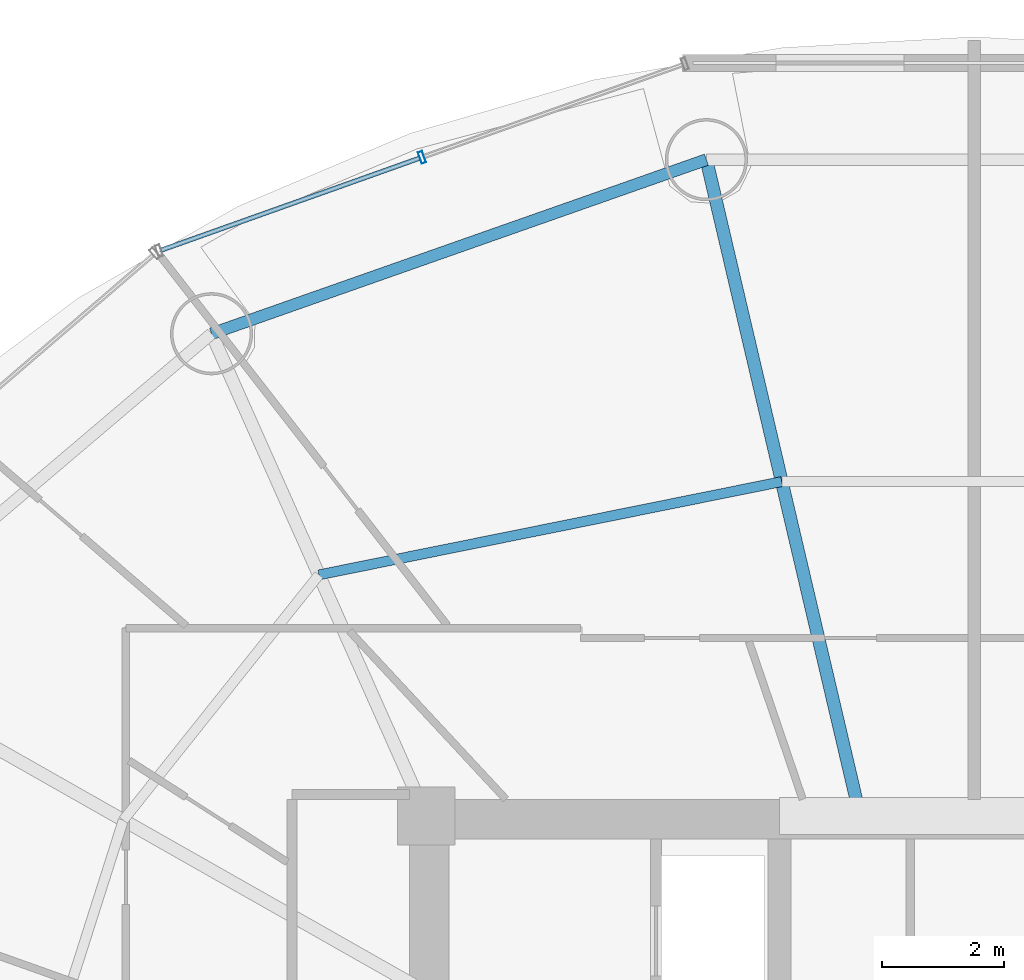
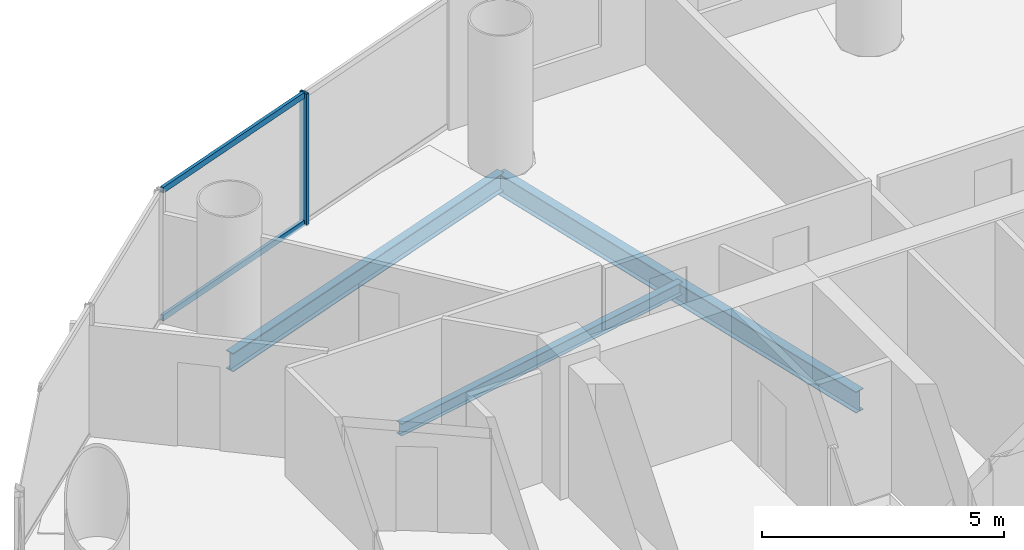
# One storey, part 15 of 27: 3 beams, 3 members, 1 element without a shape of its own.
"""IFC4 building model written with IfcOpenShell, lengths in metres."""

from ifc_helpers import new_model, si_unit, direction, frame, origin, origin_2d, place, context, subcontext, project, spatial, hollow_rectangle, i_section, extrude, source, transform, mapped, material, material_profile, profile_set, type_object, element, aggregate, save


model = new_model("IFC4")

# Units and contexts
model_context = context("Model", 3, precision=1e-05, world=origin(), true_north=direction((-0.2419218956, 0.970295726276)))
body_context = subcontext(model_context, "Body", "Model", "MODEL_VIEW")
ifc_project = project(units=[si_unit("LENGTHUNIT", "METRE"), si_unit("AREAUNIT", "SQUARE_METRE"), si_unit("VOLUMEUNIT", "CUBIC_METRE"), si_unit("PLANEANGLEUNIT", "RADIAN"), si_unit("MASSUNIT", "GRAM", prefix="KILO")], contexts=[model_context])

# Site, building, storey
site_placement = place(None, origin())
site = spatial("IfcSite", under=ifc_project, at=site_placement, CompositionType="ELEMENT")
building_placement = place(site_placement, origin())
building = spatial("IfcBuilding", under=site, at=building_placement, Name="Cobrevalo Terracotta Tower", CompositionType="ELEMENT")
storey_placement = place(building_placement, frame((0.0, 0.0, 146.199951171875)))
storey = spatial("IfcBuildingStorey", under=building, at=storey_placement, Name="L38", CompositionType="ELEMENT", Elevation=146.199951171875)

# Beams
ifc_material_1 = material(Name="Steel S355", Category="steel")
ifc_material_profile_1 = material_profile(ifc_material_1, i_section(OverallWidth=0.2109375, OverallDepth=0.5390625, WebThickness=0.01171875, FlangeThickness=0.018798828125, at=origin_2d()), Name="W 530x109")
ifc_profile_set_1 = profile_set([ifc_material_profile_1], Name="Steel S355")
beam_type_1 = type_object("IfcBeamType", Name="Structural Beam W 530x109 (Steel S355)", PredefinedType="BEAM", material=ifc_profile_set_1)
beam_1_placement = place(storey_placement, frame((33.600830078125, 45.58203125, -0.53955078125), z_axis=(0.228040864186, -0.973651562039, 0.0), x_axis=(0.973651562039, 0.228040864186, 0.0)))
element("IfcBeam", 1, at=beam_1_placement, inside=storey, type_object=beam_type_1, Name="L38 radial floor girder 05", PredefinedType="BEAM", context=body_context, shape_type="SweptSolid", body=[
    extrude(i_section(OverallWidth=0.2109375, OverallDepth=0.5390625, WebThickness=0.01171875, FlangeThickness=0.018798828125, at=origin_2d()), origin(), (0.0, 0.0, 1.0), 10.86328125),
])
ifc_material_profile_2 = material_profile(ifc_material_1, i_section(OverallWidth=0.1650390625, OverallDepth=0.31005859375, WebThickness=0.005859375, FlangeThickness=0.009765625, at=origin_2d()), Name="W 310x38.7")
ifc_profile_set_2 = profile_set([ifc_material_profile_2], Name="Steel S355")
beam_type_2 = type_object("IfcBeamType", Name="Structural Joist W 310x38.7 (Steel S355)", PredefinedType="JOIST", material=ifc_profile_set_2)
beam_2_placement = place(storey_placement, frame((34.83935546875, 40.29345703125, -0.425048828125), z_axis=(-0.980293928329, -0.197544461026, 0.0), x_axis=(0.197544461026, -0.980293928329, 0.0)))
element("IfcBeam", 2, at=beam_2_placement, inside=storey, type_object=beam_type_2, Name="L38 circumferential secondary floor joist 05", PredefinedType="JOIST", context=body_context, shape_type="SweptSolid", body=[
    extrude(i_section(OverallWidth=0.1650390625, OverallDepth=0.31005859375, WebThickness=0.005859375, FlangeThickness=0.009765625, at=origin_2d()), origin(), (0.0, 0.0, 1.0), 7.75634765625),
])
ifc_material_profile_3 = material_profile(ifc_material_1, i_section(OverallWidth=0.194091796875, OverallDepth=0.468994140625, WebThickness=0.011474609375, FlangeThickness=0.0205078125, at=origin_2d()), Name="W 460x106")
ifc_profile_set_3 = profile_set([ifc_material_profile_3], Name="Steel S355")
beam_type_3 = type_object("IfcBeamType", Name="Structural Spandrel W 460x106 (Steel S355)", PredefinedType="SPANDREL", material=ifc_profile_set_3)
beam_3_placement = place(storey_placement, frame((33.600830078125, 45.58203125, -0.50439453125), z_axis=(-0.943341298492, -0.331824041565, 0.0), x_axis=(0.331824041565, -0.943341298492, 0.0)))
element("IfcBeam", 3, at=beam_3_placement, inside=storey, type_object=beam_type_3, Name="L38 perimeter ring spandrel 05", PredefinedType="SPANDREL", context=body_context, shape_type="SweptSolid", body=[
    extrude(i_section(OverallWidth=0.194091796875, OverallDepth=0.468994140625, WebThickness=0.011474609375, FlangeThickness=0.0205078125, at=origin_2d()), origin(), (0.0, 0.0, 1.0), 8.6171875),
])

# Curtain wall, members
ifc_material_2 = material(Name="Anodized aluminium", Category="aluminium")
curtain_wall_type = type_object("IfcCurtainWallType", Name="Mid-tower high-wind unitised curtain wall CW-U2", PredefinedType="NOTDEFINED", material=ifc_material_2)
curtain_wall_placement = place(storey_placement, origin())
curtain_wall = element("IfcCurtainWall", 4, at=curtain_wall_placement, inside=storey, type_object=curtain_wall_type, Name="L38 curtain wall CW-L38-S05", PredefinedType="NOTDEFINED")
ifc_material_profile_4 = material_profile(ifc_material_2, hollow_rectangle(XDim=0.074951171875, YDim=0.199951171875, WallThickness=0.0048828125, at=origin_2d()), Name="CWM 75x200")
ifc_profile_set_4 = profile_set([ifc_material_profile_4], Name="Anodized aluminium")
member_type_1 = type_object("IfcMemberType", Name="Lower/mid tower unitised mullion 75x200", PredefinedType="MULLION", material=ifc_profile_set_4)
shared_shape_1 = source(origin(), body_context, "Body", "SweptSolid", [
    extrude(hollow_rectangle(XDim=0.074951171875, YDim=0.199951171875, WallThickness=0.0048828125, at=origin_2d()), origin(), (0.0, 0.0, 1.0), 3.330078125),
])
member_1_placement = place(storey_placement, frame((28.92822265625, 45.620361328125, 0.0), z_axis=(0.0, 0.0, 1.0), x_axis=(-0.942098428897, -0.335336473217, 0.0)))
member_1 = element("IfcMember", 5, at=member_1_placement, type_object=member_type_1, Name="CW-L38-S05 vertical mullion 02", PredefinedType="MULLION", context=body_context, shape_type="MappedRepresentation", body=[
    mapped(shared_shape_1, transform((0.0, 0.0, 0.0), scale=1.0)),
])
ifc_material_profile_5 = material_profile(ifc_material_2, hollow_rectangle(XDim=0.074951171875, YDim=0.14990234375, WallThickness=0.00439453125, at=origin_2d()), Name="CWT 75x150")
ifc_profile_set_5 = profile_set([ifc_material_profile_5], Name="Anodized aluminium")
member_type_2 = type_object("IfcMemberType", Name="Tower unitised aluminium transom 75x150", PredefinedType="USERDEFINED", material=ifc_profile_set_5)
shared_shape_2 = source(origin(), body_context, "Body", "SweptSolid", [
    extrude(hollow_rectangle(XDim=0.074951171875, YDim=0.14990234375, WallThickness=0.00439453125, at=origin_2d()), origin(), (0.0, 0.0, 1.0), 4.504150390625),
])
member_2_placement = place(storey_placement, frame((28.890625, 45.60693359375, 0.050048828125), z_axis=(-0.942093344241, -0.335350757771, 0.0), x_axis=(0.335350757771, -0.942093344241, 0.0)))
member_2 = element("IfcMember", 6, at=member_2_placement, type_object=member_type_2, Name="CW-L38-S05 transom B02-T1", ObjectType="TRANSOM", PredefinedType="USERDEFINED", context=body_context, shape_type="MappedRepresentation", body=[
    mapped(shared_shape_2, transform((0.0, 0.0, 0.0), scale=1.0)),
])
member_3_placement = place(storey_placement, frame((28.890625, 45.60693359375, 3.280029296875), z_axis=(-0.942093344241, -0.335350757771, 0.0), x_axis=(0.335350757771, -0.942093344241, 0.0)))
member_3 = element("IfcMember", 7, at=member_3_placement, type_object=member_type_2, Name="CW-L38-S05 transom B02-T2", ObjectType="TRANSOM", PredefinedType="USERDEFINED", context=body_context, shape_type="MappedRepresentation", body=[
    mapped(shared_shape_2, transform((0.0, 0.0, 0.0), scale=1.0)),
])
aggregate(curtain_wall, [member_1, member_2, member_3])

save(model, "model.ifc")
